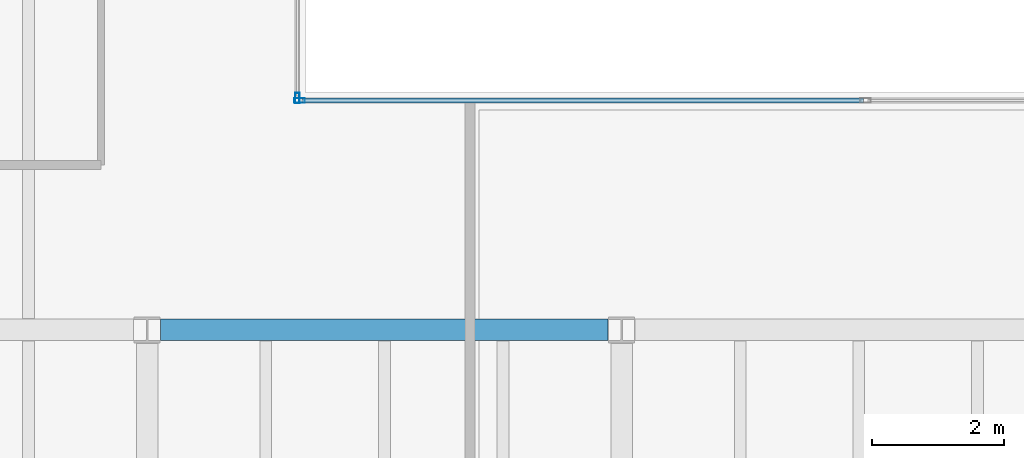
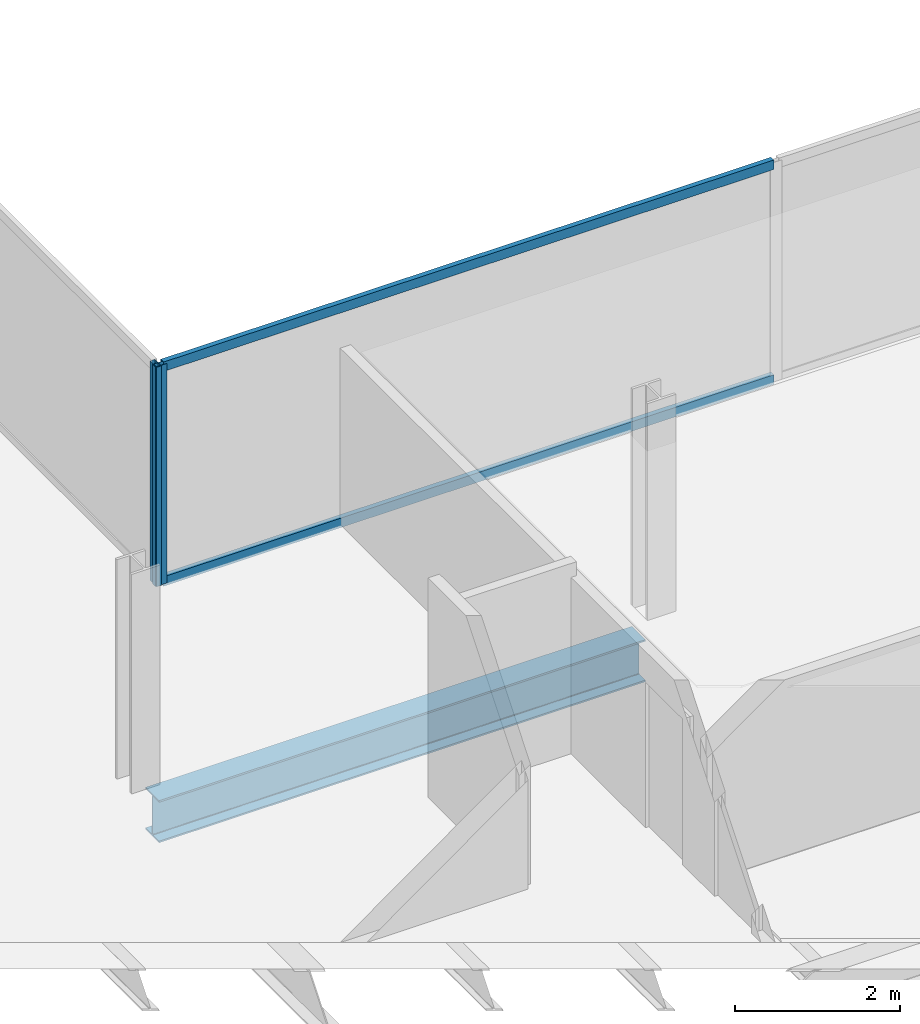
# One storey, part 8 of 23: 4 members, 1 beam, 2 elements without a shape of their own.
"""IFC4 building model written with IfcOpenShell, lengths in metres."""

from ifc_helpers import new_model, si_unit, direction, frame, origin, origin_2d, place, context, subcontext, project, spatial, hollow_rectangle, i_section, extrude, material, material_profile, profile_set, type_object, element, aggregate, save


model = new_model("IFC4")

# Units and contexts
model_context = context("Model", 3, precision=1e-05, world=origin(), true_north=direction((0.0, 1.0)))
body_context = subcontext(model_context, "Body", "Model", "MODEL_VIEW")
ifc_project = project(units=[si_unit("LENGTHUNIT", "METRE"), si_unit("AREAUNIT", "SQUARE_METRE"), si_unit("VOLUMEUNIT", "CUBIC_METRE"), si_unit("PLANEANGLEUNIT", "RADIAN"), si_unit("MASSUNIT", "GRAM", prefix="KILO")], contexts=[model_context])

# Site, building, storey
site_placement = place(None, origin())
site = spatial("IfcSite", under=ifc_project, at=site_placement, CompositionType="ELEMENT")
building_placement = place(site_placement, origin())
building = spatial("IfcBuilding", under=site, at=building_placement, Name="Cobrela Telecom Tower", CompositionType="ELEMENT")
storey_placement = place(building_placement, frame((0.0, 0.0, 176.75)))
storey = spatial("IfcBuildingStorey", under=building, at=storey_placement, Name="L44", CompositionType="ELEMENT", Elevation=176.75)

# Beam
ifc_material_1 = material(Name="Steel ASTM A992 Grade 50", Category="steel")
ifc_material_profile_1 = material_profile(ifc_material_1, i_section(OverallWidth=0.327880859375, OverallDepth=0.6220703125, WebThickness=0.015380859375, FlangeThickness=0.0244140625, FilletRadius=0.014892578125, at=origin_2d()), Name="W24X131")
ifc_profile_set_1 = profile_set([ifc_material_profile_1], Name="Steel ASTM A992 Grade 50")
beam_type = type_object("IfcBeamType", Name="BM-GIRD-06", PredefinedType="USERDEFINED", material=ifc_profile_set_1)
beam_placement = place(storey_placement, frame((21.804443359375, 21.60009765625, -0.571044921875), z_axis=(1.0, 0.0, 0.0), x_axis=(0.0, 1.0, 0.0)))
element("IfcBeam", 1, at=beam_placement, inside=storey, type_object=beam_type, Name="L44 Primary Girder X16", ObjectType="GIRDER", PredefinedType="USERDEFINED", context=body_context, shape_type="SweptSolid", body=[
    extrude(i_section(OverallWidth=0.327880859375, OverallDepth=0.6220703125, WebThickness=0.015380859375, FlangeThickness=0.0244140625, FilletRadius=0.014892578125, at=origin_2d()), origin(), (0.0, 0.0, 1.0), 6.791015625),
])

# Curtain wall, member
ifc_material_2 = material(Name="Anodized Bronze Aluminium 6063-T6", Category="aluminium")
curtain_wall_type = type_object("IfcCurtainWallType", Name="CW-SYS-OFF-LO", PredefinedType="USERDEFINED", material=ifc_material_2)
curtain_wall_1_placement = place(storey_placement, origin())
curtain_wall_1 = element("IfcCurtainWall", 2, at=curtain_wall_1_placement, inside=storey, type_object=curtain_wall_type, Name="L44 Unitised Bronze Curtain Wall 10", ObjectType="UNITISED CURTAIN WALL", PredefinedType="USERDEFINED")
ifc_material_profile_2 = material_profile(ifc_material_2, hollow_rectangle(XDim=0.070068359375, YDim=0.159912109375, WallThickness=0.00390625, at=origin_2d()), Name="ALU 70x160x4")
ifc_profile_set_2 = profile_set([ifc_material_profile_2], Name="Anodized Bronze Aluminium 6063-T6")
member_type_1 = type_object("IfcMemberType", Name="CW-SYS-OFF-LO-MUL", PredefinedType="MULLION", material=ifc_profile_set_2)
member_1_placement = place(storey_placement, frame((23.8798828125, 25.114990234375, 0.0), z_axis=(0.0, 0.0, 1.0), x_axis=(1.0, 0.0, 0.0)))
member_1 = element("IfcMember", 3, at=member_1_placement, type_object=member_type_1, Name="CW-OFF-LO mullion 3", PredefinedType="MULLION", context=body_context, shape_type="SweptSolid", body=[
    extrude(hollow_rectangle(XDim=0.070068359375, YDim=0.159912109375, WallThickness=0.00390625, at=origin_2d()), origin(), (0.0, 0.0, 1.0), 3.239990234375),
])
aggregate(curtain_wall_1, [member_1])

# Curtain wall, members
curtain_wall_2_placement = place(storey_placement, origin())
curtain_wall_2 = element("IfcCurtainWall", 4, at=curtain_wall_2_placement, inside=storey, type_object=curtain_wall_type, Name="L44 Unitised Bronze Curtain Wall 11", ObjectType="UNITISED CURTAIN WALL", PredefinedType="USERDEFINED")
member_2_placement = place(storey_placement, frame((23.9150390625, 25.080078125, 0.0), z_axis=(0.0, 0.0, 1.0), x_axis=(0.0, 1.0, 0.0)))
member_2 = element("IfcMember", 5, at=member_2_placement, type_object=member_type_1, Name="CW-OFF-LO mullion 1", PredefinedType="MULLION", context=body_context, shape_type="SweptSolid", body=[
    extrude(hollow_rectangle(XDim=0.070068359375, YDim=0.159912109375, WallThickness=0.00390625, at=origin_2d()), origin(), (0.0, 0.0, 1.0), 3.239990234375),
])
ifc_material_profile_3 = material_profile(ifc_material_2, hollow_rectangle(XDim=0.070068359375, YDim=0.139892578125, WallThickness=0.00390625, at=origin_2d()), Name="ALU 70x140x4")
ifc_profile_set_3 = profile_set([ifc_material_profile_3], Name="Anodized Bronze Aluminium 6063-T6")
member_type_2 = type_object("IfcMemberType", Name="CW-SYS-OFF-LO-TRN", PredefinedType="USERDEFINED", material=ifc_profile_set_3)
member_3_placement = place(storey_placement, frame((23.949951171875, 25.080078125, 0.034912109375), z_axis=(1.0, 0.0, 0.0), x_axis=(0.0, 1.0, 0.0)))
member_3 = element("IfcMember", 6, at=member_3_placement, type_object=member_type_2, Name="CW-OFF-LO transom 1.1", ObjectType="TRANSOM", PredefinedType="USERDEFINED", context=body_context, shape_type="SweptSolid", body=[
    extrude(hollow_rectangle(XDim=0.070068359375, YDim=0.139892578125, WallThickness=0.00390625, at=origin_2d()), origin(), (0.0, 0.0, 1.0), 8.52001953125),
])
member_4_placement = place(storey_placement, frame((23.949951171875, 25.080078125, 3.205078125), z_axis=(1.0, 0.0, 0.0), x_axis=(0.0, 1.0, 0.0)))
member_4 = element("IfcMember", 7, at=member_4_placement, type_object=member_type_2, Name="CW-OFF-LO transom 1.2", ObjectType="TRANSOM", PredefinedType="USERDEFINED", context=body_context, shape_type="SweptSolid", body=[
    extrude(hollow_rectangle(XDim=0.070068359375, YDim=0.139892578125, WallThickness=0.00390625, at=origin_2d()), origin(), (0.0, 0.0, 1.0), 8.52001953125),
])
aggregate(curtain_wall_2, [member_2, member_3, member_4])

save(model, "model.ifc")
